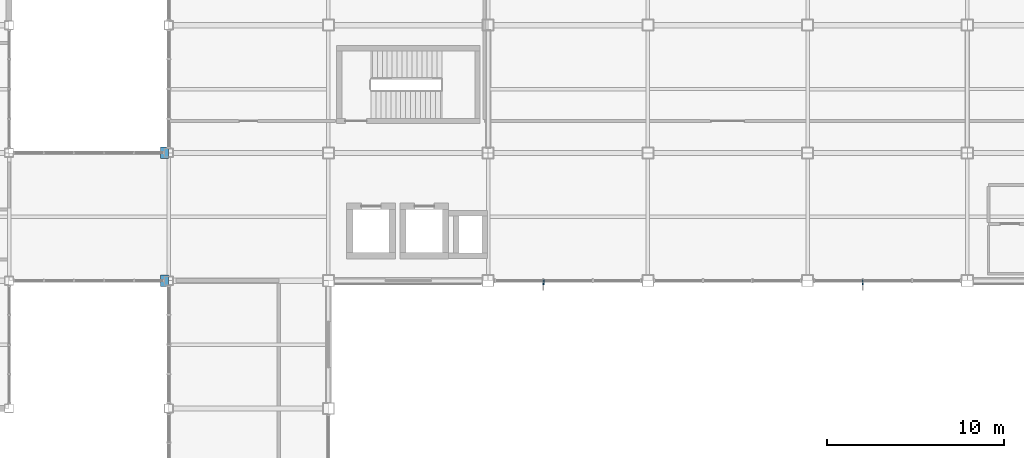
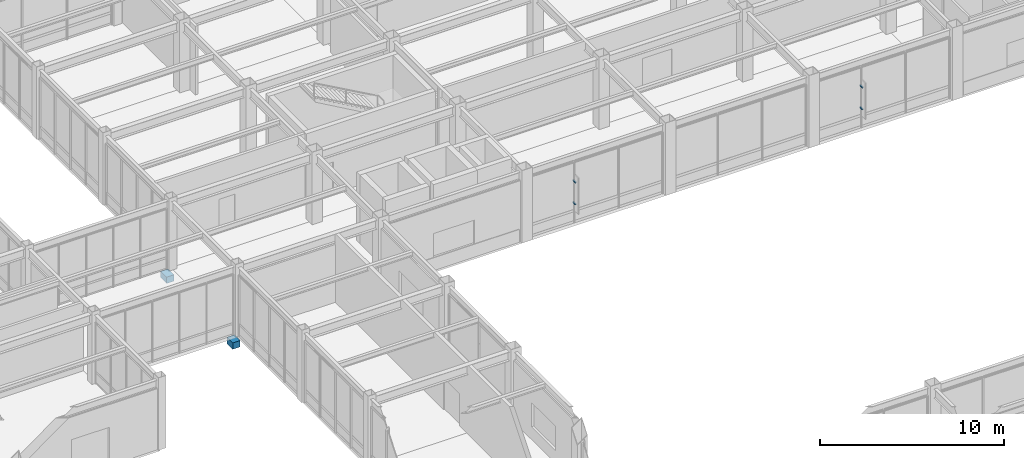
# One storey, part 101 of 112: 6 discrete accessories.
"""IFC4 building model written with IfcOpenShell, lengths in metres."""

from ifc_helpers import new_model, si_unit, direction, frame, origin, origin_2d, place, context, subcontext, project, spatial, rectangle, extrude, material, type_object, element, save


model = new_model("IFC4")

# Units and contexts
model_context = context("Model", 3, precision=1e-05, world=origin(), true_north=direction((0.0, 1.0)))
body_context = subcontext(model_context, "Body", "Model", "MODEL_VIEW")
ifc_project = project(units=[si_unit("LENGTHUNIT", "METRE"), si_unit("AREAUNIT", "SQUARE_METRE"), si_unit("VOLUMEUNIT", "CUBIC_METRE"), si_unit("PLANEANGLEUNIT", "RADIAN"), si_unit("MASSUNIT", "GRAM", prefix="KILO")], contexts=[model_context])

# Site, building, storey
site_placement = place(None, origin())
site = spatial("IfcSite", under=ifc_project, at=site_placement, CompositionType="ELEMENT")
building_placement = place(site_placement, origin())
building = spatial("IfcBuilding", under=site, at=building_placement, Name="Kazanami Central Library", CompositionType="ELEMENT")
storey_placement = place(building_placement, origin())
storey = spatial("IfcBuildingStorey", under=building, at=storey_placement, Name="L01", CompositionType="ELEMENT", Elevation=0.0)

# Discrete accessories
ifc_material = material(Name="Stainless Steel SUS304", Category="steel")
discrete_accessory_type_1 = type_object("IfcDiscreteAccessoryType", Name="ACC-BRK-1", PredefinedType="BRACKET", material=ifc_material)
for number, where, z_axis, x_axis, name in (
    (1, (66.1083984375, 64.7099609375, 1.267578125), (0.0, 0.0, 1.0), (1.0, 0.0, 0.0), "Solar Fin Outrigger Bracket L01 S-K-07.1.1"),
    (2, (66.1083984375, 64.7099609375, 2.70751953125), (0.0, 0.0, 1.0), (1.0, 0.0, 0.0), "Solar Fin Outrigger Bracket L01 S-K-07.1.2"),
    (3, (84.1083984375, 64.7099609375, 1.267578125), (0.0, 0.0, 1.0), (1.0, 0.0, 0.0), "Solar Fin Outrigger Bracket L01 S-K-09.1.1"),
    (4, (84.1083984375, 64.7099609375, 2.70751953125), (0.0, 0.0, 1.0), (1.0, 0.0, 0.0), "Solar Fin Outrigger Bracket L01 S-K-09.1.2"),
):
    element("IfcDiscreteAccessory", number, at=place(storey_placement, frame(where, z_axis=z_axis, x_axis=x_axis)), inside=storey, type_object=discrete_accessory_type_1, Name=name, PredefinedType="BRACKET", context=body_context, shape_type="SweptSolid", body=[
        extrude(rectangle(XDim=0.080078125, YDim=0.280029296875, at=origin_2d()), origin(), (0.0, 0.0, 1.0), 0.080078125),
    ])
discrete_accessory_type_2 = type_object("IfcDiscreteAccessoryType", Name="ACC-CRB-460", PredefinedType="BRACKET", material=ifc_material)
for number, where, z_axis, x_axis, name in (
    (5, (44.77001953125, 64.800048828125, -0.695068359375), (0.0, 0.0, 1.0), (1.0, 0.0, 0.0), "Link Bridge Corbel Seat and Elastomeric Sliding Bearing L01 WN-1"),
    (6, (44.77001953125, 72.0, -0.695068359375), (0.0, 0.0, 1.0), (1.0, 0.0, 0.0), "Link Bridge Corbel Seat and Elastomeric Sliding Bearing L01 WN-2"),
):
    element("IfcDiscreteAccessory", number, at=place(storey_placement, frame(where, z_axis=z_axis, x_axis=x_axis)), inside=storey, type_object=discrete_accessory_type_2, Name=name, PredefinedType="BRACKET", context=body_context, shape_type="SweptSolid", body=[
        extrude(rectangle(XDim=0.4599609375, YDim=0.64990234375, at=origin_2d()), origin(), (0.0, 0.0, 1.0), 0.419921875),
    ])

save(model, "model.ifc")
